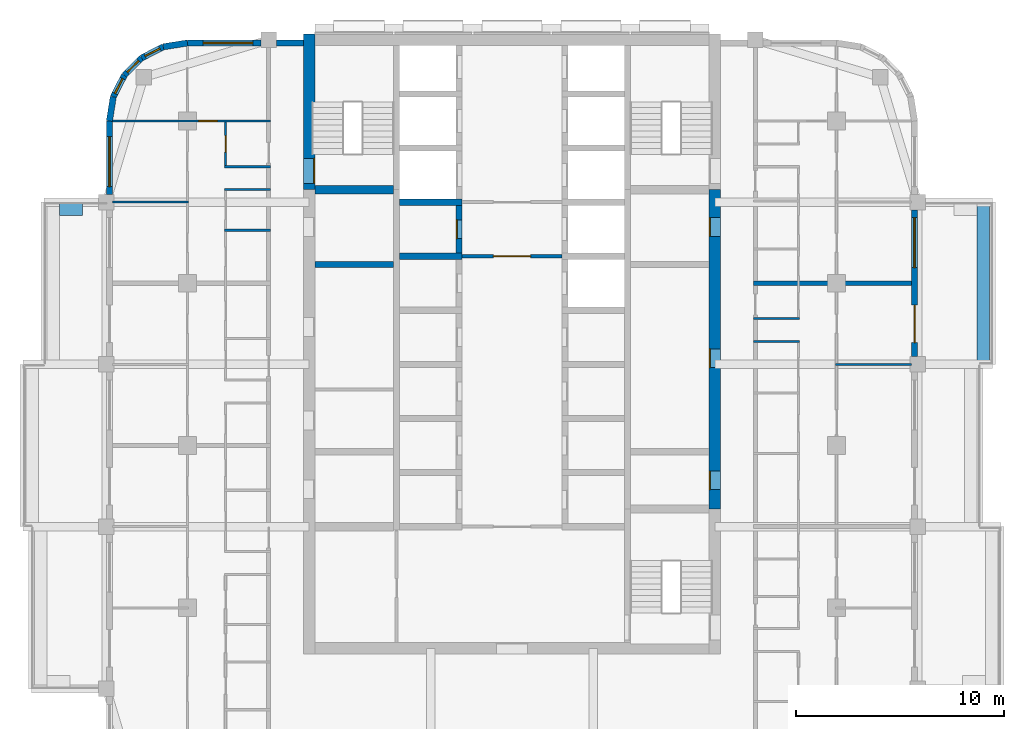
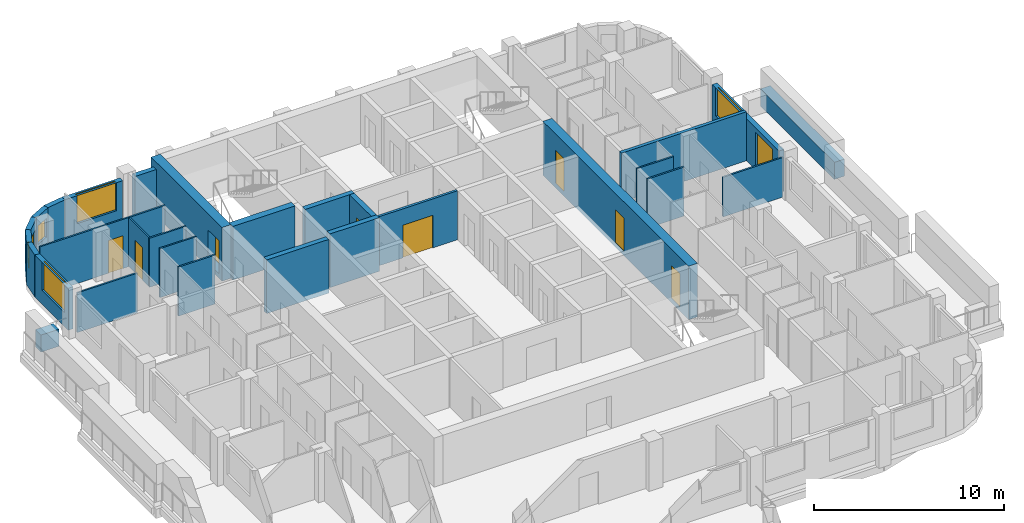
# One storey, part 7 of 13: 29 walls, 9 doors, 6 windows, 15 openings.
"""IFC4 building model written with IfcOpenShell, lengths in metres."""

from ifc_helpers import new_model, si_unit, direction, frame, frame_2d, origin, place, context, subcontext, project, spatial, rectangle, extrude, material, layer, layer_set, type_object, element, fill, save


model = new_model("IFC4")

# Units and contexts
model_context = context("Model", 3, precision=1e-05, world=origin(), true_north=direction((0.0, 1.0)))
body_context = subcontext(model_context, "Body", "Model", "MODEL_VIEW")
ifc_project = project(units=[si_unit("LENGTHUNIT", "METRE"), si_unit("AREAUNIT", "SQUARE_METRE"), si_unit("VOLUMEUNIT", "CUBIC_METRE"), si_unit("PLANEANGLEUNIT", "RADIAN"), si_unit("MASSUNIT", "GRAM", prefix="KILO")], contexts=[model_context])

# Site, building, storey
site_placement = place(None, origin())
site = spatial("IfcSite", under=ifc_project, at=site_placement, CompositionType="ELEMENT")
building_placement = place(site_placement, origin())
building = spatial("IfcBuilding", under=site, at=building_placement, Name="Ludao Terraces", CompositionType="ELEMENT")
storey_placement = place(building_placement, frame((0.0, 0.0, 179.199951171875)))
storey = spatial("IfcBuildingStorey", under=building, at=storey_placement, Name="L48", CompositionType="ELEMENT", Elevation=179.199951171875)

# Wall, opening, door
ifc_material_1 = material(Name="Concrete C60", Category="concrete")
ifc_layer_1 = layer(ifc_material_1, 0.550048828125)
ifc_layer_set_1 = layer_set([ifc_layer_1], Name="Core wall 550 C60")
wall_type_1 = type_object("IfcWallType", Name="Core wall 550 C60", PredefinedType="SOLIDWALL", material=ifc_layer_set_1)
wall_1_placement = place(storey_placement, frame((75.25, 77.300048828125, -0.300048828125), z_axis=(0.0, 0.0, 1.0), x_axis=(0.0, 1.0, 0.0)))
wall_1 = element("IfcWall", 1, at=wall_1_placement, inside=storey, type_object=wall_type_1, Name="Core wall L48 outer-W-S1", PredefinedType="SOLIDWALL", context=body_context, shape_type="SweptSolid", body=[
    extrude(rectangle(XDim=7.474853515625, YDim=0.550048828125, at=frame_2d((3.7373046875, 0.0))), origin(), (0.0, 0.0, 1.0), 3.4501953125),
])
opening_1_placement = place(wall_1_placement, frame((0.300048828125, 0.0, 0.300048828125)))
opening_1 = element("IfcOpeningElement", 2, at=opening_1_placement, cuts=wall_1, Name="Opening R17-075", PredefinedType="OPENING", context=body_context, shape_type="SweptSolid", body=[
    extrude(rectangle(XDim=1.199951171875, YDim=2.10009765625, at=frame_2d((0.60009765625, 1.050048828125))), frame((0.0, 0.28515625, 0.0), z_axis=(0.0, -1.0, 0.0), x_axis=(1.0, 0.0, 0.0)), (0.0, 0.0, 1.0), 0.570068359375),
])
ifc_material_2 = material(Name="Steel Q235", Category="steel")
door_type_1 = type_object("IfcDoorType", Name="INT Stair door 1200", OperationType="DOUBLE_DOOR_SINGLE_SWING", PredefinedType="DOOR", material=ifc_material_2)
door_1_placement = place(opening_1_placement, origin())
door_1 = element("IfcDoor", 3, at=door_1_placement, inside=storey, type_object=door_type_1, Name="DOOR 075", OperationType="DOUBLE_DOOR_SINGLE_SWING", OverallHeight=2.10009765625, OverallWidth=1.199951171875, PredefinedType="DOOR", context=body_context, shape_type="SweptSolid", body=[
    extrude(rectangle(XDim=1.199951171875, YDim=2.10009765625, at=frame_2d((0.60009765625, 1.050048828125))), frame((0.0, -0.2099609375, 0.0), z_axis=(0.0, -1.0, 0.0), x_axis=(1.0, 0.0, 0.0)), (0.0, 0.0, 1.0), 0.050048828125),
])
fill(opening_1, door_1)

# Wall, openings, doors
wall_2_placement = place(storey_placement, frame((94.75, 61.949951171875, -0.300048828125), z_axis=(0.0, 0.0, 1.0), x_axis=(0.0, 1.0, 0.0)))
wall_2 = element("IfcWall", 4, at=wall_2_placement, inside=storey, type_object=wall_type_1, Name="Core wall L48 outer-E", PredefinedType="SOLIDWALL", context=body_context, shape_type="SweptSolid", body=[
    extrude(rectangle(XDim=15.35009765625, YDim=0.550048828125, at=frame_2d((7.675048828125, 0.0))), origin(), (0.0, 0.0, 1.0), 3.4501953125),
])
opening_2_placement = place(wall_2_placement, frame((0.925048828125, 0.0, 0.300048828125)))
opening_2 = element("IfcOpeningElement", 5, at=opening_2_placement, cuts=wall_2, Name="Opening R17-034", PredefinedType="OPENING", context=body_context, shape_type="SweptSolid", body=[
    extrude(rectangle(XDim=0.89990234375, YDim=2.10009765625, at=frame_2d((0.449951171875, 1.050048828125))), frame((0.0, 0.28515625, 0.0), z_axis=(0.0, -1.0, 0.0), x_axis=(1.0, 0.0, 0.0)), (0.0, 0.0, 1.0), 0.570068359375),
])
opening_3_placement = place(wall_2_placement, frame((6.800048828125, 0.0, 0.300048828125)))
opening_3 = element("IfcOpeningElement", 6, at=opening_3_placement, cuts=wall_2, Name="Opening R17-048", PredefinedType="OPENING", context=body_context, shape_type="SweptSolid", body=[
    extrude(rectangle(XDim=0.89990234375, YDim=2.10009765625, at=frame_2d((0.449951171875, 1.050048828125))), frame((0.0, 0.28515625, 0.0), z_axis=(0.0, -1.0, 0.0), x_axis=(1.0, 0.0, 0.0)), (0.0, 0.0, 1.0), 0.570068359375),
])
opening_4_placement = place(wall_2_placement, frame((13.10009765625, 0.0, 0.300048828125)))
opening_4 = element("IfcOpeningElement", 7, at=opening_4_placement, cuts=wall_2, Name="Opening R17-067", PredefinedType="OPENING", context=body_context, shape_type="SweptSolid", body=[
    extrude(rectangle(XDim=0.89990234375, YDim=2.10009765625, at=frame_2d((0.449951171875, 1.050048828125))), frame((0.0, 0.28515625, 0.0), z_axis=(0.0, -1.0, 0.0), x_axis=(1.0, 0.0, 0.0)), (0.0, 0.0, 1.0), 0.570068359375),
])
door_type_2 = type_object("IfcDoorType", Name="INT Riser door 900", OperationType="SINGLE_SWING_LEFT", PredefinedType="DOOR", material=ifc_material_2)
door_2_placement = place(opening_2_placement, origin())
door_2 = element("IfcDoor", 8, at=door_2_placement, inside=storey, type_object=door_type_2, Name="DOOR 034", OperationType="SINGLE_SWING_LEFT", OverallHeight=2.10009765625, OverallWidth=0.89990234375, PredefinedType="DOOR", context=body_context, shape_type="SweptSolid", body=[
    extrude(rectangle(XDim=0.89990234375, YDim=2.10009765625, at=frame_2d((0.449951171875, 1.050048828125))), frame((0.0, 0.26025390625, 0.0), z_axis=(0.0, -1.0, 0.0), x_axis=(1.0, 0.0, 0.0)), (0.0, 0.0, 1.0), 0.050048828125),
])
fill(opening_2, door_2)
door_3_placement = place(opening_4_placement, origin())
door_3 = element("IfcDoor", 9, at=door_3_placement, inside=storey, type_object=door_type_2, Name="DOOR 067", OperationType="SINGLE_SWING_LEFT", OverallHeight=2.10009765625, OverallWidth=0.89990234375, PredefinedType="DOOR", context=body_context, shape_type="SweptSolid", body=[
    extrude(rectangle(XDim=0.89990234375, YDim=2.10009765625, at=frame_2d((0.449951171875, 1.050048828125))), frame((0.0, 0.26025390625, 0.0), z_axis=(0.0, -1.0, 0.0), x_axis=(1.0, 0.0, 0.0)), (0.0, 0.0, 1.0), 0.050048828125),
])
fill(opening_4, door_3)
ifc_material_3 = material(Name="Timber door leaf", Category="wood")
door_type_3 = type_object("IfcDoorType", Name="INT Room door 900", OperationType="SINGLE_SWING_LEFT", PredefinedType="DOOR", material=ifc_material_3)
door_4_placement = place(opening_3_placement, origin())
door_4 = element("IfcDoor", 10, at=door_4_placement, inside=storey, type_object=door_type_3, Name="DOOR 048", OperationType="SINGLE_SWING_LEFT", OverallHeight=2.10009765625, OverallWidth=0.89990234375, PredefinedType="DOOR", context=body_context, shape_type="SweptSolid", body=[
    extrude(rectangle(XDim=0.89990234375, YDim=2.10009765625, at=frame_2d((0.449951171875, 1.050048828125))), frame((0.0, 0.26025390625, 0.0), z_axis=(0.0, -1.0, 0.0), x_axis=(1.0, 0.0, 0.0)), (0.0, 0.0, 1.0), 0.050048828125),
])
fill(opening_3, door_4)

# Walls
ifc_material_4 = material(Name="Concrete C40", Category="concrete")
ifc_layer_2 = layer(ifc_material_4, 0.60009765625)
ifc_layer_set_2 = layer_set([ifc_layer_2], Name="ENV Planter trough 600")
wall_type_2 = type_object("IfcWallType", Name="ENV Planter trough 600", PredefinedType="USERDEFINED", material=ifc_layer_set_2)
wall_3_placement = place(storey_placement, frame((107.64990234375, 68.89990234375, 0.0), z_axis=(0.0, 0.0, 1.0), x_axis=(0.0, 1.0, 0.0)))
element("IfcWall", 11, at=wall_3_placement, inside=storey, type_object=wall_type_2, Name="PL-L48-E3", ObjectType="PLANTER", PredefinedType="USERDEFINED", context=body_context, shape_type="SweptSolid", body=[
    extrude(rectangle(XDim=7.800048828125, YDim=0.60009765625, at=frame_2d((3.89990234375, 0.0))), origin(), (0.0, 0.0, 1.0), 1.10009765625),
])
wall_4_placement = place(storey_placement, frame((63.25, 76.35009765625, 0.0), z_axis=(0.0, 0.0, 1.0), x_axis=(1.0, 0.0, 0.0)))
element("IfcWall", 12, at=wall_4_placement, inside=storey, type_object=wall_type_2, Name="PL-L48-W3-SB", ObjectType="PLANTER", PredefinedType="USERDEFINED", context=body_context, shape_type="SweptSolid", body=[
    extrude(rectangle(XDim=1.10009765625, YDim=0.60009765625, at=frame_2d((0.550048828125, 0.0))), origin(), (0.0, 0.0, 1.0), 1.10009765625),
])

# Wall, openings, door, window
ifc_material_5 = material(Name="Granite cladding", Category="masonry")
ifc_layer_3 = layer(ifc_material_5, 0.0400390625, Category="stone")
ifc_material_6 = material(Name="Mineral wool")
ifc_layer_4 = layer(ifc_material_6, 0.06005859375)
ifc_layer_5 = layer(ifc_material_4, 0.199951171875, Category="concrete")
ifc_layer_set_3 = layer_set([ifc_layer_3, ifc_layer_4, ifc_layer_5], Name="ENV Stone-clad wall 300")
wall_type_3 = type_object("IfcWallType", Name="ENV Stone-clad wall 300", PredefinedType="SOLIDWALL", material=ifc_layer_set_3)
wall_5_placement = place(storey_placement, frame((104.35009765625, 69.27490234375, 0.0), z_axis=(0.0, 0.0, 1.0), x_axis=(0.0, 1.0, 0.0)))
wall_5 = element("IfcWall", 13, at=wall_5_placement, inside=storey, type_object=wall_type_3, Name="EW-L48-E4", PredefinedType="SOLIDWALL", context=body_context, shape_type="SweptSolid", body=[
    extrude(rectangle(XDim=7.050048828125, YDim=0.300048828125, at=frame_2d((3.52490234375, 0.0))), origin(), (0.0, 0.0, 1.0), 2.699951171875),
])
opening_5_placement = place(wall_5_placement, frame((0.675048828125, 0.0, 0.0)))
opening_5 = element("IfcOpeningElement", 14, at=opening_5_placement, cuts=wall_5, Name="Opening BD", PredefinedType="OPENING", context=body_context, shape_type="SweptSolid", body=[
    extrude(rectangle(XDim=1.800048828125, YDim=2.39990234375, at=frame_2d((0.89990234375, 1.199951171875))), frame((0.0, 0.16015625, 0.0), z_axis=(0.0, -1.0, 0.0), x_axis=(1.0, 0.0, 0.0)), (0.0, 0.0, 1.0), 0.320068359375),
])
opening_6_placement = place(wall_5_placement, frame((4.27490234375, 0.0, 0.89990234375)))
opening_6 = element("IfcOpeningElement", 15, at=opening_6_placement, cuts=wall_5, Name="Opening W1", PredefinedType="OPENING", context=body_context, shape_type="SweptSolid", body=[
    extrude(rectangle(XDim=2.39990234375, YDim=1.800048828125, at=frame_2d((1.199951171875, 0.89990234375))), frame((0.0, 0.16015625, 0.0), z_axis=(0.0, -1.0, 0.0), x_axis=(1.0, 0.0, 0.0)), (0.0, 0.0, 1.0), 0.320068359375),
])
ifc_material_7 = material(Name="Aluminium glazed door", Category="aluminium")
ifc_layer_6 = layer(ifc_material_7, 0.06005859375)
ifc_layer_set_4 = layer_set([ifc_layer_6], Name="ENV Balcony door BD 1800x2400")
door_type_4 = type_object("IfcDoorType", Name="ENV Balcony door BD 1800x2400", OperationType="DOUBLE_DOOR_SINGLE_SWING", PredefinedType="DOOR", material=ifc_layer_set_4)
door_5_placement = place(opening_5_placement, origin())
door_5 = element("IfcDoor", 16, at=door_5_placement, inside=storey, type_object=door_type_4, Name="BD-L48-E4-1", OperationType="DOUBLE_DOOR_SINGLE_SWING", OverallHeight=2.39990234375, OverallWidth=1.800048828125, PredefinedType="DOOR", context=body_context, shape_type="SweptSolid", body=[
    extrude(rectangle(XDim=1.800048828125, YDim=2.39990234375, at=frame_2d((0.89990234375, 1.199951171875))), frame((0.0, 0.02490234375, 0.0), z_axis=(0.0, -1.0, 0.0), x_axis=(1.0, 0.0, 0.0)), (0.0, 0.0, 1.0), 0.050048828125),
])
fill(opening_5, door_5)
ifc_material_8 = material(Name="Clear glass in aluminium frame", Category="aluminium")
ifc_layer_7 = layer(ifc_material_8, 0.06005859375)
ifc_layer_set_5 = layer_set([ifc_layer_7], Name="ENV Window W1 2400x1800")
window_type_1 = type_object("IfcWindowType", Name="ENV Window W1 2400x1800", PartitioningType="DOUBLE_PANEL_VERTICAL", PredefinedType="WINDOW", material=ifc_layer_set_5)
window_1_placement = place(opening_6_placement, origin())
window_1 = element("IfcWindow", 17, at=window_1_placement, inside=storey, type_object=window_type_1, Name="W-L48-E4-2", OverallHeight=1.800048828125, OverallWidth=2.39990234375, PartitioningType="DOUBLE_PANEL_VERTICAL", PredefinedType="WINDOW", context=body_context, shape_type="SweptSolid", body=[
    extrude(rectangle(XDim=2.39990234375, YDim=1.800048828125, at=frame_2d((1.199951171875, 0.89990234375))), frame((0.0, 0.030029296875, 0.0), z_axis=(0.0, -1.0, 0.0), x_axis=(1.0, 0.0, 0.0)), (0.0, 0.0, 1.0), 0.06005859375),
])
fill(opening_6, window_1)

# Wall, opening, window
wall_6_placement = place(storey_placement, frame((69.39990234375, 84.35009765625, 0.0), z_axis=(0.0, 0.0, 1.0), x_axis=(1.0, 0.0, 0.0)))
wall_6 = element("IfcWall", 18, at=wall_6_placement, inside=storey, type_object=wall_type_3, Name="EW-L48-N1", PredefinedType="SOLIDWALL", context=body_context, shape_type="SweptSolid", body=[
    extrude(rectangle(XDim=3.525146484375, YDim=0.300048828125, at=frame_2d((1.7626953125, 0.0))), origin(), (0.0, 0.0, 1.0), 2.699951171875),
])
opening_7_placement = place(wall_6_placement, frame((0.75, 0.0, 0.89990234375)))
opening_7 = element("IfcOpeningElement", 19, at=opening_7_placement, cuts=wall_6, Name="Opening W1", PredefinedType="OPENING", context=body_context, shape_type="SweptSolid", body=[
    extrude(rectangle(XDim=2.39990234375, YDim=1.800048828125, at=frame_2d((1.199951171875, 0.89990234375))), frame((0.0, 0.16015625, 0.0), z_axis=(0.0, -1.0, 0.0), x_axis=(1.0, 0.0, 0.0)), (0.0, 0.0, 1.0), 0.320068359375),
])
window_2_placement = place(opening_7_placement, origin())
window_2 = element("IfcWindow", 20, at=window_2_placement, inside=storey, type_object=window_type_1, Name="W-L48-N1-1", OverallHeight=1.800048828125, OverallWidth=2.39990234375, PartitioningType="DOUBLE_PANEL_VERTICAL", PredefinedType="WINDOW", context=body_context, shape_type="SweptSolid", body=[
    extrude(rectangle(XDim=2.39990234375, YDim=1.800048828125, at=frame_2d((1.199951171875, 0.89990234375))), frame((0.0, 0.030029296875, 0.0), z_axis=(0.0, -1.0, 0.0), x_axis=(1.0, 0.0, 0.0)), (0.0, 0.0, 1.0), 0.06005859375),
])
fill(opening_7, window_2)

# Wall
wall_7_placement = place(storey_placement, frame((73.675048828125, 84.35009765625, 0.0), z_axis=(0.0, 0.0, 1.0), x_axis=(1.0, 0.0, 0.0)))
element("IfcWall", 21, at=wall_7_placement, inside=storey, type_object=wall_type_3, Name="EW-L48-N2", PredefinedType="SOLIDWALL", context=body_context, shape_type="SweptSolid", body=[
    extrude(rectangle(XDim=1.300048828125, YDim=0.300048828125, at=frame_2d((0.64990234375, 0.0))), origin(), (0.0, 0.0, 1.0), 2.699951171875),
])

# Wall, opening, window
wall_8_placement = place(storey_placement, frame((65.64990234375, 77.074951171875, 0.0), z_axis=(0.0, 0.0, 1.0), x_axis=(0.0, 1.0, 0.0)))
wall_8 = element("IfcWall", 22, at=wall_8_placement, inside=storey, type_object=wall_type_3, Name="EW-L48-W5", PredefinedType="SOLIDWALL", context=body_context, shape_type="SweptSolid", body=[
    extrude(rectangle(XDim=3.525146484375, YDim=0.300048828125, at=frame_2d((1.7626953125, 0.0))), origin(), (0.0, 0.0, 1.0), 2.699951171875),
])
opening_8_placement = place(wall_8_placement, frame((0.375, 0.0, 0.89990234375)))
opening_8 = element("IfcOpeningElement", 23, at=opening_8_placement, cuts=wall_8, Name="Opening W1", PredefinedType="OPENING", context=body_context, shape_type="SweptSolid", body=[
    extrude(rectangle(XDim=2.39990234375, YDim=1.800048828125, at=frame_2d((1.199951171875, 0.89990234375))), frame((0.0, 0.16015625, 0.0), z_axis=(0.0, -1.0, 0.0), x_axis=(1.0, 0.0, 0.0)), (0.0, 0.0, 1.0), 0.320068359375),
])
window_3_placement = place(opening_8_placement, origin())
window_3 = element("IfcWindow", 24, at=window_3_placement, inside=storey, type_object=window_type_1, Name="W-L48-W5-1", OverallHeight=1.800048828125, OverallWidth=2.39990234375, PartitioningType="DOUBLE_PANEL_VERTICAL", PredefinedType="WINDOW", context=body_context, shape_type="SweptSolid", body=[
    extrude(rectangle(XDim=2.39990234375, YDim=1.800048828125, at=frame_2d((1.199951171875, 0.89990234375))), frame((0.0, 0.030029296875, 0.0), z_axis=(0.0, -1.0, 0.0), x_axis=(1.0, 0.0, 0.0)), (0.0, 0.0, 1.0), 0.06005859375),
])
fill(opening_8, window_3)

# Wall
wall_9_placement = place(storey_placement, frame((69.39990234375, 84.35009765625, 0.0), z_axis=(0.0, 0.0, 1.0), x_axis=(-0.987678452879, -0.156496880861, 0.0)))
element("IfcWall", 25, at=wall_9_placement, inside=storey, type_object=wall_type_3, Name="EW-L48-NW1", PredefinedType="SOLIDWALL", context=body_context, shape_type="SweptSolid", body=[
    extrude(rectangle(XDim=1.173095703125, YDim=0.300048828125, at=frame_2d((0.58642578125, 0.0))), origin(), (0.0, 0.0, 1.0), 2.699951171875),
])

# Wall, opening, window
wall_10_placement = place(storey_placement, frame((68.2412109375, 84.16650390625, 0.0), z_axis=(0.0, 0.0, 1.0), x_axis=(-0.890988677504, -0.454025524128, 0.0)))
wall_10 = element("IfcWall", 26, at=wall_10_placement, inside=storey, type_object=wall_type_3, Name="EW-L48-NW2", PredefinedType="SOLIDWALL", context=body_context, shape_type="SweptSolid", body=[
    extrude(rectangle(XDim=1.17333984375, YDim=0.300048828125, at=frame_2d((0.586669921875, 0.0))), origin(), (0.0, 0.0, 1.0), 2.699951171875),
])
opening_9_placement = place(wall_10_placement, frame((0.1865234375, 0.0, 0.89990234375)))
opening_9 = element("IfcOpeningElement", 27, at=opening_9_placement, cuts=wall_10, Name="Opening W3", PredefinedType="OPENING", context=body_context, shape_type="SweptSolid", body=[
    extrude(rectangle(XDim=0.800048828125, YDim=1.199951171875, at=frame_2d((0.39990234375, 0.60009765625))), frame((0.0, 0.16015625, 0.0), z_axis=(0.0, -1.0, 0.0), x_axis=(1.0, 0.0, 0.0)), (0.0, 0.0, 1.0), 0.320068359375),
])
ifc_layer_8 = layer(ifc_material_8, 0.06005859375)
ifc_layer_set_6 = layer_set([ifc_layer_8], Name="ENV Window W3 800x1200")
window_type_2 = type_object("IfcWindowType", Name="ENV Window W3 800x1200", PartitioningType="SINGLE_PANEL", PredefinedType="WINDOW", material=ifc_layer_set_6)
window_4_placement = place(opening_9_placement, origin())
window_4 = element("IfcWindow", 28, at=window_4_placement, inside=storey, type_object=window_type_2, Name="W-L48-NW2", OverallHeight=1.199951171875, OverallWidth=0.800048828125, PartitioningType="SINGLE_PANEL", PredefinedType="WINDOW", context=body_context, shape_type="SweptSolid", body=[
    extrude(rectangle(XDim=0.800048828125, YDim=1.199951171875, at=frame_2d((0.39990234375, 0.60009765625))), frame((0.0, 0.030029296875, 0.0), z_axis=(0.0, -1.0, 0.0), x_axis=(1.0, 0.0, 0.0)), (0.0, 0.0, 1.0), 0.06005859375),
])
fill(opening_9, window_4)

wall_11_placement = place(storey_placement, frame((67.19580078125, 83.6337890625, 0.0), z_axis=(0.0, 0.0, 1.0), x_axis=(-0.707106781187, -0.707106781187, 0.0)))
wall_11 = element("IfcWall", 29, at=wall_11_placement, inside=storey, type_object=wall_type_3, Name="EW-L48-NW3", PredefinedType="SOLIDWALL", context=body_context, shape_type="SweptSolid", body=[
    extrude(rectangle(XDim=1.173095703125, YDim=0.300048828125, at=frame_2d((0.58642578125, 0.0))), origin(), (0.0, 0.0, 1.0), 2.699951171875),
])
opening_10_placement = place(wall_11_placement, frame((0.1865234375, 0.0, 0.89990234375)))
opening_10 = element("IfcOpeningElement", 30, at=opening_10_placement, cuts=wall_11, Name="Opening W3", PredefinedType="OPENING", context=body_context, shape_type="SweptSolid", body=[
    extrude(rectangle(XDim=0.800048828125, YDim=1.199951171875, at=frame_2d((0.39990234375, 0.60009765625))), frame((0.0, 0.16015625, 0.0), z_axis=(0.0, -1.0, 0.0), x_axis=(1.0, 0.0, 0.0)), (0.0, 0.0, 1.0), 0.320068359375),
])
window_5_placement = place(opening_10_placement, origin())
window_5 = element("IfcWindow", 31, at=window_5_placement, inside=storey, type_object=window_type_2, Name="W-L48-NW3", OverallHeight=1.199951171875, OverallWidth=0.800048828125, PartitioningType="SINGLE_PANEL", PredefinedType="WINDOW", context=body_context, shape_type="SweptSolid", body=[
    extrude(rectangle(XDim=0.800048828125, YDim=1.199951171875, at=frame_2d((0.39990234375, 0.60009765625))), frame((0.0, 0.030029296875, 0.0), z_axis=(0.0, -1.0, 0.0), x_axis=(1.0, 0.0, 0.0)), (0.0, 0.0, 1.0), 0.06005859375),
])
fill(opening_10, window_5)

wall_12_placement = place(storey_placement, frame((66.3662109375, 82.80419921875, 0.0), z_axis=(0.0, 0.0, 1.0), x_axis=(-0.454025524128, -0.890988677504, 0.0)))
wall_12 = element("IfcWall", 32, at=wall_12_placement, inside=storey, type_object=wall_type_3, Name="EW-L48-NW4", PredefinedType="SOLIDWALL", context=body_context, shape_type="SweptSolid", body=[
    extrude(rectangle(XDim=1.17333984375, YDim=0.300048828125, at=frame_2d((0.586669921875, 0.0))), origin(), (0.0, 0.0, 1.0), 2.699951171875),
])
opening_11_placement = place(wall_12_placement, frame((0.1865234375, 0.0, 0.89990234375)))
opening_11 = element("IfcOpeningElement", 33, at=opening_11_placement, cuts=wall_12, Name="Opening W3", PredefinedType="OPENING", context=body_context, shape_type="SweptSolid", body=[
    extrude(rectangle(XDim=0.800048828125, YDim=1.199951171875, at=frame_2d((0.39990234375, 0.60009765625))), frame((0.0, 0.16015625, 0.0), z_axis=(0.0, -1.0, 0.0), x_axis=(1.0, 0.0, 0.0)), (0.0, 0.0, 1.0), 0.320068359375),
])
window_6_placement = place(opening_11_placement, origin())
window_6 = element("IfcWindow", 34, at=window_6_placement, inside=storey, type_object=window_type_2, Name="W-L48-NW4", OverallHeight=1.199951171875, OverallWidth=0.800048828125, PartitioningType="SINGLE_PANEL", PredefinedType="WINDOW", context=body_context, shape_type="SweptSolid", body=[
    extrude(rectangle(XDim=0.800048828125, YDim=1.199951171875, at=frame_2d((0.39990234375, 0.60009765625))), frame((0.0, 0.030029296875, 0.0), z_axis=(0.0, -1.0, 0.0), x_axis=(1.0, 0.0, 0.0)), (0.0, 0.0, 1.0), 0.06005859375),
])
fill(opening_11, window_6)

# Wall
wall_13_placement = place(storey_placement, frame((65.83349609375, 81.7587890625, 0.0), z_axis=(0.0, 0.0, 1.0), x_axis=(-0.156496880861, -0.987678452879, 0.0)))
element("IfcWall", 35, at=wall_13_placement, inside=storey, type_object=wall_type_3, Name="EW-L48-NW5", PredefinedType="SOLIDWALL", context=body_context, shape_type="SweptSolid", body=[
    extrude(rectangle(XDim=1.173095703125, YDim=0.300048828125, at=frame_2d((0.58642578125, 0.0))), origin(), (0.0, 0.0, 1.0), 2.699951171875),
])

# Wall, opening, door
ifc_material_9 = material(Name="Fire-rated gypsum plasterboard", Category="gypsum")
ifc_layer_9 = layer(ifc_material_9, 0.012451171875, Category="gypsum")
ifc_layer_10 = layer(ifc_material_6, 0.10009765625, Name="insulation")
ifc_layer_11 = layer(ifc_material_2, 0.02490234375, Name="stud")
ifc_layer_12 = layer(ifc_material_9, 0.012451171875, Category="gypsum")
ifc_layer_set_7 = layer_set([ifc_layer_9, ifc_layer_10, ifc_layer_11, ifc_layer_12], Name="INT Core partition 150")
wall_type_4 = type_object("IfcWallType", Name="INT Core partition 150", PredefinedType="PARTITIONING", material=ifc_layer_set_7)
wall_14_placement = place(storey_placement, frame((82.60009765625, 74.10009765625, 0.0), z_axis=(0.0, 0.0, 1.0), x_axis=(1.0, 0.0, 0.0)))
wall_14 = element("IfcWall", 36, at=wall_14_placement, inside=storey, type_object=wall_type_4, Name="PW-L48-PW033", PredefinedType="PARTITIONING", context=body_context, shape_type="SweptSolid", body=[
    extrude(rectangle(XDim=4.800048828125, YDim=0.14990234375, at=frame_2d((2.39990234375, 0.0))), origin(), (0.0, 0.0, 1.0), 3.150146484375),
])
opening_12_placement = place(wall_14_placement, frame((1.5, 0.0, 0.0)))
opening_12 = element("IfcOpeningElement", 37, at=opening_12_placement, cuts=wall_14, Name="Opening R17-061", PredefinedType="OPENING", context=body_context, shape_type="SweptSolid", body=[
    extrude(rectangle(XDim=1.800048828125, YDim=2.10009765625, at=frame_2d((0.89990234375, 1.050048828125))), frame((0.0, 0.0849609375, 0.0), z_axis=(0.0, -1.0, 0.0), x_axis=(1.0, 0.0, 0.0)), (0.0, 0.0, 1.0), 0.169921875),
])
door_type_5 = type_object("IfcDoorType", Name="INT Fire lobby door 1800", OperationType="DOUBLE_DOOR_SINGLE_SWING", PredefinedType="DOOR", material=ifc_material_2)
door_6_placement = place(opening_12_placement, origin())
door_6 = element("IfcDoor", 38, at=door_6_placement, inside=storey, type_object=door_type_5, Name="DOOR 061", OperationType="DOUBLE_DOOR_SINGLE_SWING", OverallHeight=2.10009765625, OverallWidth=1.800048828125, PredefinedType="DOOR", context=body_context, shape_type="SweptSolid", body=[
    extrude(rectangle(XDim=1.800048828125, YDim=2.10009765625, at=frame_2d((0.89990234375, 1.050048828125))), frame((0.0, 0.02490234375, 0.0), z_axis=(0.0, -1.0, 0.0), x_axis=(1.0, 0.0, 0.0)), (0.0, 0.0, 1.0), 0.050048828125),
])
fill(opening_12, door_6)

# Walls
ifc_material_10 = material(Name="Gypsum plasterboard", Category="gypsum")
ifc_layer_13 = layer(ifc_material_10, 0.012451171875, Category="gypsum")
ifc_layer_14 = layer(ifc_material_6, 0.06005859375, Name="insulation")
ifc_layer_15 = layer(ifc_material_2, 0.014892578125, Name="stud")
ifc_layer_16 = layer(ifc_material_10, 0.012451171875, Category="gypsum")
ifc_layer_set_8 = layer_set([ifc_layer_13, ifc_layer_14, ifc_layer_15, ifc_layer_16], Name="INT Partition 100")
wall_type_5 = type_object("IfcWallType", Name="INT Partition 100", PredefinedType="PARTITIONING", material=ifc_layer_set_8)
wall_15_placement = place(storey_placement, frame((100.550048828125, 68.89990234375, 0.0), z_axis=(0.0, 0.0, 1.0), x_axis=(1.0, 0.0, 0.0)))
element("IfcWall", 39, at=wall_15_placement, inside=storey, type_object=wall_type_5, Name="PW-L48-PW027", PredefinedType="PARTITIONING", context=body_context, shape_type="SweptSolid", body=[
    extrude(rectangle(XDim=3.650146484375, YDim=0.10009765625, at=frame_2d((1.8251953125, 0.0))), origin(), (0.0, 0.0, 1.0), 2.550048828125),
])
for number, where, z_axis, x_axis, name in (
    (40, (96.60009765625, 70.0, 0.0), (0.0, 0.0, 1.0), (1.0, 0.0, 0.0), "PW-L48-PW028"),
    (41, (96.60009765625, 71.10009765625, 0.0), (0.0, 0.0, 1.0), (1.0, 0.0, 0.0), "PW-L48-PW030"),
    (42, (71.18017578125, 75.35009765625, 0.0), (0.0, 0.0, 1.0), (1.0, 0.0, 0.0), "PW-L48-PW035"),
):
    element("IfcWall", number, at=place(storey_placement, frame(where, z_axis=z_axis, x_axis=x_axis)), inside=storey, type_object=wall_type_5, Name=name, PredefinedType="PARTITIONING", context=body_context, shape_type="SweptSolid", body=[
        extrude(rectangle(XDim=2.219970703125, YDim=0.10009765625, at=frame_2d((1.10986328125, 0.0))), origin(), (0.0, 0.0, 1.0), 3.150146484375),
    ])
wall_16_placement = place(storey_placement, frame((65.800048828125, 76.699951171875, 0.0), z_axis=(0.0, 0.0, 1.0), x_axis=(1.0, 0.0, 0.0)))
element("IfcWall", 43, at=wall_16_placement, inside=storey, type_object=wall_type_5, Name="PW-L48-PW036", PredefinedType="PARTITIONING", context=body_context, shape_type="SweptSolid", body=[
    extrude(rectangle(XDim=3.650146484375, YDim=0.10009765625, at=frame_2d((1.8251953125, 0.0))), origin(), (0.0, 0.0, 1.0), 2.550048828125),
])
for number, where, z_axis, x_axis, name in (
    (44, (71.18017578125, 77.300048828125, 0.0), (0.0, 0.0, 1.0), (1.0, 0.0, 0.0), "PW-L48-PW040"),
    (45, (71.18017578125, 78.39990234375, 0.0), (0.0, 0.0, 1.0), (1.0, 0.0, 0.0), "PW-L48-PW041"),
):
    element("IfcWall", number, at=place(storey_placement, frame(where, z_axis=z_axis, x_axis=x_axis)), inside=storey, type_object=wall_type_5, Name=name, PredefinedType="PARTITIONING", context=body_context, shape_type="SweptSolid", body=[
        extrude(rectangle(XDim=2.219970703125, YDim=0.10009765625, at=frame_2d((1.10986328125, 0.0))), origin(), (0.0, 0.0, 1.0), 3.150146484375),
    ])

# Wall, opening, door
wall_17_placement = place(storey_placement, frame((65.800048828125, 80.60009765625, 0.0), z_axis=(0.0, 0.0, 1.0), x_axis=(1.0, 0.0, 0.0)))
wall_17 = element("IfcWall", 46, at=wall_17_placement, inside=storey, type_object=wall_type_5, Name="PW-L48-PW044", PredefinedType="PARTITIONING", context=body_context, shape_type="SweptSolid", body=[
    extrude(rectangle(XDim=7.60009765625, YDim=0.10009765625, at=frame_2d((3.800048828125, 0.0))), origin(), (0.0, 0.0, 1.0), 3.150146484375),
])
opening_13_placement = place(wall_17_placement, frame((4.139892578125, 0.0, 0.0)))
opening_13 = element("IfcOpeningElement", 47, at=opening_13_placement, cuts=wall_17, Name="Opening R17-082", PredefinedType="OPENING", context=body_context, shape_type="SweptSolid", body=[
    extrude(rectangle(XDim=0.89990234375, YDim=2.10009765625, at=frame_2d((0.449951171875, 1.050048828125))), frame((0.0, 0.06005859375, 0.0), z_axis=(0.0, -1.0, 0.0), x_axis=(1.0, 0.0, 0.0)), (0.0, 0.0, 1.0), 0.1201171875),
])
door_7_placement = place(opening_13_placement, origin())
door_7 = element("IfcDoor", 48, at=door_7_placement, inside=storey, type_object=door_type_3, Name="DOOR 082", OperationType="SINGLE_SWING_LEFT", OverallHeight=2.10009765625, OverallWidth=0.89990234375, PredefinedType="DOOR", context=body_context, shape_type="SweptSolid", body=[
    extrude(rectangle(XDim=0.89990234375, YDim=2.10009765625, at=frame_2d((0.449951171875, 1.050048828125))), frame((0.0, 0.02490234375, 0.0), z_axis=(0.0, -1.0, 0.0), x_axis=(1.0, 0.0, 0.0)), (0.0, 0.0, 1.0), 0.050048828125),
])
fill(opening_13, door_7)

wall_18_placement = place(storey_placement, frame((71.22998046875, 78.4501953125, 0.0), z_axis=(0.0, 0.0, 1.0), x_axis=(0.0, 1.0, 0.0)))
wall_18 = element("IfcWall", 49, at=wall_18_placement, inside=storey, type_object=wall_type_5, Name="PW-L48-PW050", PredefinedType="PARTITIONING", context=body_context, shape_type="SweptSolid", body=[
    extrude(rectangle(XDim=2.099853515625, YDim=0.10009765625, at=frame_2d((1.0498046875, 0.0))), origin(), (0.0, 0.0, 1.0), 3.150146484375),
])
opening_14_placement = place(wall_18_placement, frame((0.64990234375, 0.0, 0.0)))
opening_14 = element("IfcOpeningElement", 50, at=opening_14_placement, cuts=wall_18, Name="Opening R17-080", PredefinedType="OPENING", context=body_context, shape_type="SweptSolid", body=[
    extrude(rectangle(XDim=0.800048828125, YDim=2.10009765625, at=frame_2d((0.39990234375, 1.050048828125))), frame((0.0, 0.06005859375, 0.0), z_axis=(0.0, -1.0, 0.0), x_axis=(1.0, 0.0, 0.0)), (0.0, 0.0, 1.0), 0.1201171875),
])
door_type_6 = type_object("IfcDoorType", Name="INT Store door 800", OperationType="SINGLE_SWING_LEFT", PredefinedType="DOOR", material=ifc_material_3)
door_8_placement = place(opening_14_placement, origin())
door_8 = element("IfcDoor", 51, at=door_8_placement, inside=storey, type_object=door_type_6, Name="DOOR 080", OperationType="SINGLE_SWING_RIGHT", OverallHeight=2.10009765625, OverallWidth=0.800048828125, PredefinedType="DOOR", context=body_context, shape_type="SweptSolid", body=[
    extrude(rectangle(XDim=0.800048828125, YDim=2.10009765625, at=frame_2d((0.39990234375, 1.050048828125))), frame((0.0, 0.02490234375, 0.0), z_axis=(0.0, -1.0, 0.0), x_axis=(1.0, 0.0, 0.0)), (0.0, 0.0, 1.0), 0.050048828125),
])
fill(opening_14, door_8)

# Walls
ifc_material_11 = material(Name="Autoclaved aerated concrete block B06 A3.5", Category="concrete")
ifc_layer_17 = layer(ifc_material_11, 0.199951171875)
ifc_layer_set_9 = layer_set([ifc_layer_17], Name="INT Party wall 200")
wall_type_6 = type_object("IfcWallType", Name="INT Party wall 200", PredefinedType="PARTITIONING", material=ifc_layer_set_9)
wall_19_placement = place(storey_placement, frame((96.60009765625, 72.800048828125, 0.0), z_axis=(0.0, 0.0, 1.0), x_axis=(1.0, 0.0, 0.0)))
element("IfcWall", 52, at=wall_19_placement, inside=storey, type_object=wall_type_6, Name="PW-L48-PW032", PredefinedType="PARTITIONING", context=body_context, shape_type="SweptSolid", body=[
    extrude(rectangle(XDim=7.60009765625, YDim=0.199951171875, at=frame_2d((3.800048828125, 0.0))), origin(), (0.0, 0.0, 1.0), 3.150146484375),
])
ifc_material_12 = material(Name="Concrete C55", Category="concrete")
ifc_layer_18 = layer(ifc_material_12, 0.300048828125)
ifc_layer_set_10 = layer_set([ifc_layer_18], Name="Shaft wall 300 C55")
wall_type_7 = type_object("IfcWallType", Name="Shaft wall 300 C55", PredefinedType="SOLIDWALL", material=ifc_layer_set_10)
wall_20_placement = place(storey_placement, frame((79.60009765625, 74.10009765625, -0.300048828125), z_axis=(0.0, 0.0, 1.0), x_axis=(1.0, 0.0, 0.0)))
element("IfcWall", 53, at=wall_20_placement, inside=storey, type_object=wall_type_7, Name="Core wall L48 div-W6", PredefinedType="SOLIDWALL", context=body_context, shape_type="SweptSolid", body=[
    extrude(rectangle(XDim=3.0, YDim=0.300048828125, at=frame_2d((1.5, 0.0))), origin(), (0.0, 0.0, 1.0), 3.4501953125),
])

# Wall, opening, door
wall_21_placement = place(storey_placement, frame((82.449951171875, 74.25, -0.300048828125), z_axis=(0.0, 0.0, 1.0), x_axis=(0.0, 1.0, 0.0)))
wall_21 = element("IfcWall", 54, at=wall_21_placement, inside=storey, type_object=wall_type_7, Name="Core wall L48 front-W6", PredefinedType="SOLIDWALL", context=body_context, shape_type="SweptSolid", body=[
    extrude(rectangle(XDim=2.300048828125, YDim=0.300048828125, at=frame_2d((1.14990234375, 0.0))), origin(), (0.0, 0.0, 1.0), 3.4501953125),
])
opening_15_placement = place(wall_21_placement, frame((0.699951171875, 0.0, 0.300048828125)))
opening_15 = element("IfcOpeningElement", 55, at=opening_15_placement, cuts=wall_21, Name="Opening R17-064", PredefinedType="OPENING", context=body_context, shape_type="SweptSolid", body=[
    extrude(rectangle(XDim=0.89990234375, YDim=2.10009765625, at=frame_2d((0.449951171875, 1.050048828125))), frame((0.0, 0.16015625, 0.0), z_axis=(0.0, -1.0, 0.0), x_axis=(1.0, 0.0, 0.0)), (0.0, 0.0, 1.0), 0.320068359375),
])
door_9_placement = place(opening_15_placement, origin())
door_9 = element("IfcDoor", 56, at=door_9_placement, inside=storey, type_object=door_type_3, Name="DOOR 064", OperationType="SINGLE_SWING_RIGHT", OverallHeight=2.10009765625, OverallWidth=0.89990234375, PredefinedType="DOOR", context=body_context, shape_type="SweptSolid", body=[
    extrude(rectangle(XDim=0.89990234375, YDim=2.10009765625, at=frame_2d((0.449951171875, 1.050048828125))), frame((0.0, 0.13525390625, 0.0), z_axis=(0.0, -1.0, 0.0), x_axis=(1.0, 0.0, 0.0)), (0.0, 0.0, 1.0), 0.050048828125),
])
fill(opening_15, door_9)

# Walls
wall_22_placement = place(storey_placement, frame((79.60009765625, 76.699951171875, -0.300048828125), z_axis=(0.0, 0.0, 1.0), x_axis=(1.0, 0.0, 0.0)))
element("IfcWall", 57, at=wall_22_placement, inside=storey, type_object=wall_type_7, Name="Core wall L48 div-W7", PredefinedType="SOLIDWALL", context=body_context, shape_type="SweptSolid", body=[
    extrude(rectangle(XDim=3.0, YDim=0.300048828125, at=frame_2d((1.5, 0.0))), origin(), (0.0, 0.0, 1.0), 3.4501953125),
])
wall_23_placement = place(storey_placement, frame((75.52490234375, 73.699951171875, -0.300048828125), z_axis=(0.0, 0.0, 1.0), x_axis=(1.0, 0.0, 0.0)))
element("IfcWall", 58, at=wall_23_placement, inside=storey, type_object=wall_type_7, Name="Core wall L48 riser-b-W", PredefinedType="SOLIDWALL", context=body_context, shape_type="SweptSolid", body=[
    extrude(rectangle(XDim=3.775146484375, YDim=0.300048828125, at=frame_2d((1.8876953125, 0.0))), origin(), (0.0, 0.0, 1.0), 3.4501953125),
])
ifc_layer_19 = layer(ifc_material_12, 0.39990234375)
ifc_layer_set_11 = layer_set([ifc_layer_19], Name="Shaft wall 400 C55")
wall_type_8 = type_object("IfcWallType", Name="Shaft wall 400 C55", PredefinedType="SOLIDWALL", material=ifc_layer_set_11)
wall_24_placement = place(storey_placement, frame((75.52490234375, 77.300048828125, -0.300048828125), z_axis=(0.0, 0.0, 1.0), x_axis=(1.0, 0.0, 0.0)))
element("IfcWall", 59, at=wall_24_placement, inside=storey, type_object=wall_type_8, Name="Core wall L48 stair-W", PredefinedType="SOLIDWALL", context=body_context, shape_type="SweptSolid", body=[
    extrude(rectangle(XDim=3.775146484375, YDim=0.39990234375, at=frame_2d((1.8876953125, 0.0))), origin(), (0.0, 0.0, 1.0), 3.4501953125),
])

save(model, "model.ifc")
